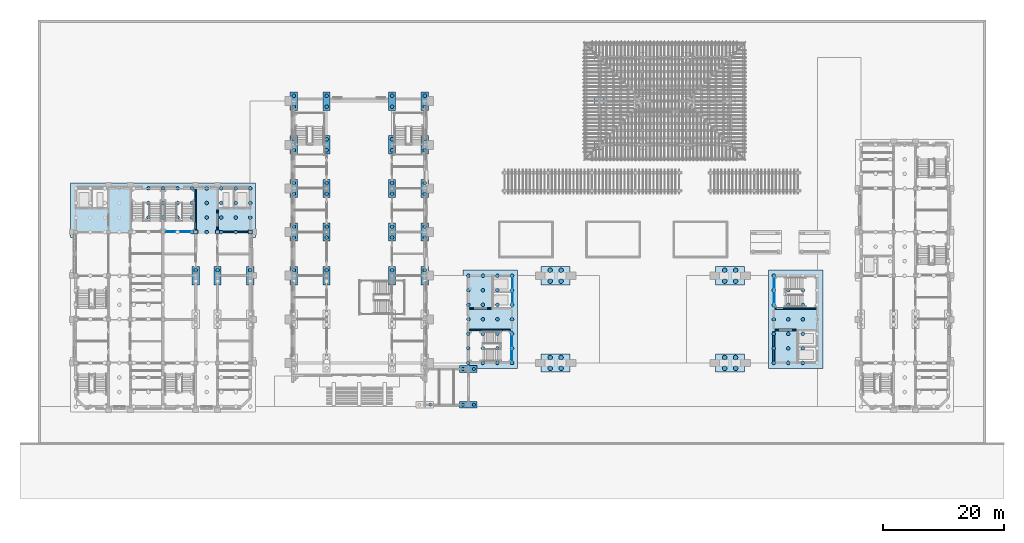
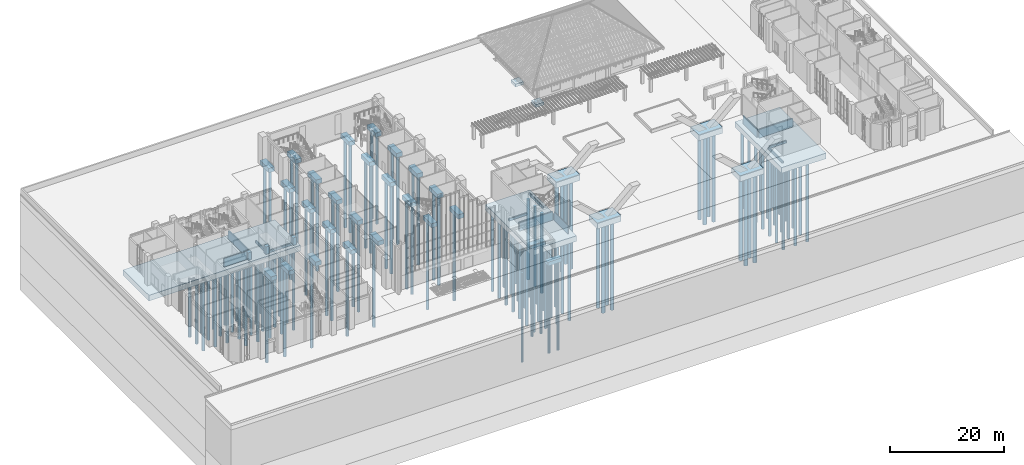
# One storey, part 2 of 84: 136 piles, 49 footings.
"""IFC4 building model written with IfcOpenShell, lengths in metres."""

import ifcopenshell
import ifcopenshell.guid

model = None  # the IFC model being written
_history = None  # IfcOwnerHistory: only IFC2X3 demands one
_inside = {}  # id of a spatial element -> (the spatial element, [elements in it])
_under = {}  # id of a project, library or spatial element -> (it, [spatial elements below it])
_declared = {}  # id of a project -> (the project, [libraries it declares])
_typed = {}  # id of a type object -> (the type object, [elements of that type])
_made_of = {}  # id of a material, layer set ... -> (it, [elements and type objects made of it])


def new_model(schema):
    """Start an empty IFC model of exactly this schema.

    Asked for "IFC4X3", IfcOpenShell would pick the latest addendum, in which some entities
    have other attributes; the version numbers below select the first issue.
    IFC2X3 requires an IfcOwnerHistory on every rooted entity: one is made here for all.
    """
    global model, _history
    if schema == "IFC4X3":
        model = ifcopenshell.file(schema_version=(4, 3, 0, 0))
    else:
        model = ifcopenshell.file(schema=schema)
    _inside.clear()
    _under.clear()
    _declared.clear()
    _typed.clear()
    _made_of.clear()
    _history = None
    if model.schema == "IFC2X3":
        org = make("IfcOrganization", Name="unknown")
        user = make(
            "IfcPersonAndOrganization",
            ThePerson=make("IfcPerson", FamilyName="unknown"),
            TheOrganization=org,
        )
        app = make(
            "IfcApplication",
            ApplicationDeveloper=org,
            Version="unknown",
            ApplicationFullName="unknown",
            ApplicationIdentifier="unknown",
        )
        _history = make(
            "IfcOwnerHistory",
            OwningUser=user,
            OwningApplication=app,
            ChangeAction="ADDED",
            CreationDate=0,
        )
    return model


def make(cls, **values):
    """One entity of the class cls with the attributes given. An attribute that is None is left unset."""
    return model.create_entity(
        cls, **{name: value for name, value in values.items() if value is not None}
    )


def rooted(cls, **values):
    """An entity with a GlobalId (a new one), such as an element, a storey or a relation."""
    return make(cls, GlobalId=ifcopenshell.guid.new(), OwnerHistory=_history, **values)


def si_unit(unit_type, name, prefix=None):
    """IfcSIUnit, for example si_unit("LENGTHUNIT", "METRE", prefix="MILLI")."""
    return make("IfcSIUnit", UnitType=unit_type, Prefix=prefix, Name=name)


def assignment(units):
    """IfcUnitAssignment: the units of a project."""
    return None if units is None else make("IfcUnitAssignment", Units=units)


def point(xyz):
    """IfcCartesianPoint."""
    return None if xyz is None else make("IfcCartesianPoint", Coordinates=xyz)


def direction(xyz):
    """IfcDirection."""
    return None if xyz is None else make("IfcDirection", DirectionRatios=xyz)


def frame(location, z_axis=None, x_axis=None):
    """IfcAxis2Placement3D, a coordinate frame: its origin and axes. An axis left out is left unset."""
    return make(
        "IfcAxis2Placement3D",
        Location=point(location),
        Axis=direction(z_axis),
        RefDirection=direction(x_axis),
    )


def frame_2d(location, x_axis=None):
    """IfcAxis2Placement2D, a coordinate frame in the plane: its origin and x axis."""
    return make(
        "IfcAxis2Placement2D", Location=point(location), RefDirection=direction(x_axis)
    )


def origin():
    """The frame at (0, 0, 0) with its axes left unset."""
    return frame((0.0, 0.0, 0.0))


def origin_2d():
    """The frame at (0, 0) in the plane with its x axis left unset."""
    return frame_2d((0.0, 0.0))


def place(relative_to, where):
    """IfcLocalPlacement: puts the frame where relative to a parent placement (None: the world)."""
    return make(
        "IfcLocalPlacement", PlacementRelTo=relative_to, RelativePlacement=where
    )


def context(
    kind, dimensions, precision=None, world=None, true_north=None, identifier=None
):
    """IfcGeometricRepresentationContext, for example the 3D "Model" context."""
    return make(
        "IfcGeometricRepresentationContext",
        ContextIdentifier=identifier,
        ContextType=kind,
        CoordinateSpaceDimension=dimensions,
        Precision=precision,
        WorldCoordinateSystem=world,
        TrueNorth=true_north,
    )


def subcontext(parent, identifier, kind, view, scale=None):
    """IfcGeometricRepresentationSubContext, for example "Body" below "Model"."""
    return make(
        "IfcGeometricRepresentationSubContext",
        ContextIdentifier=identifier,
        ContextType=kind,
        ParentContext=parent,
        TargetScale=scale,
        TargetView=view,
    )


def project(units=None, contexts=None):
    """IfcProject with its units and contexts."""
    return rooted(
        "IfcProject",
        Name="project",
        RepresentationContexts=contexts,
        UnitsInContext=assignment(units),
    )


def spatial(cls, under=None, at=None, **own):
    """A site, building, storey or space (cls), placed at a placement, below another one or the project."""
    s = rooted(cls, ObjectPlacement=at, **own)
    if under is not None:
        _under.setdefault(under.id(), (under, []))[1].append(s)
    return s


def polyline(points):
    """IfcPolyline through the points."""
    return make("IfcPolyline", Points=[point(p) for p in points])


def profile(cls, at=None, kind="AREA", **sizes):
    """A parametric profile (cls). Its sizes go by their IFC names, for example OverallWidth=200.0."""
    return make(cls, ProfileType=kind, Position=at, **sizes)


def rectangle(**sizes):
    """IfcRectangleProfileDef."""
    return profile("IfcRectangleProfileDef", **sizes)


def circle(**sizes):
    """IfcCircleProfileDef."""
    return profile("IfcCircleProfileDef", **sizes)


def outline(outer, holes=None, kind="AREA"):
    """IfcArbitraryClosedProfileDef: a profile drawn as a closed curve; with holes, ...WithVoids."""
    if holes is None:
        return make("IfcArbitraryClosedProfileDef", ProfileType=kind, OuterCurve=outer)
    return make(
        "IfcArbitraryProfileDefWithVoids",
        ProfileType=kind,
        OuterCurve=outer,
        InnerCurves=holes,
    )


def extrude(swept, where, along, depth):
    """IfcExtrudedAreaSolid: the profile swept, set in the frame where, extruded along a direction by depth."""
    return make(
        "IfcExtrudedAreaSolid",
        SweptArea=swept,
        Position=where,
        ExtrudedDirection=direction(along),
        Depth=depth,
    )


def shape(context_of_items, identifier, shape_type, items):
    """IfcShapeRepresentation: the items that make up one representation, for example the "Body"."""
    return make(
        "IfcShapeRepresentation",
        ContextOfItems=context_of_items,
        RepresentationIdentifier=identifier,
        RepresentationType=shape_type,
        Items=items,
    )


def material(Name=None, Category=None):
    """IfcMaterial."""
    return make("IfcMaterial", Name=Name, Category=Category)


def material_profile(
    of_material, cross_section, Name=None, Category=None, Priority=None
):
    """IfcMaterialProfile: a cross section and its material."""
    return make(
        "IfcMaterialProfile",
        Name=Name,
        Material=of_material,
        Profile=cross_section,
        Priority=Priority,
        Category=Category,
    )


def profile_set(profiles, Name=None, composite=None):
    """IfcMaterialProfileSet."""
    return make(
        "IfcMaterialProfileSet",
        Name=Name,
        MaterialProfiles=profiles,
        CompositeProfile=composite,
    )


def made_of(thing, what):
    """Note that an element or type object is made of a material, layer set ...; save() writes the relation."""
    if what is not None:
        _made_of.setdefault(what.id(), (what, []))[1].append(thing)
    return thing


def type_object(cls, material=None, **own):
    """A type object (cls), such as IfcWallType, which elements share."""
    return made_of(rooted(cls, **own), material)


def element(
    cls,
    number,
    at=None,
    inside=None,
    cuts=None,
    type_object=None,
    material=None,
    context=None,
    identifier="Body",
    shape_type=None,
    held_by="IfcProductDefinitionShape",
    body=None,
    shapes=None,
    **own,
):
    """One element of the class cls, such as IfcWall. Its Tag is "e" and its number.

    at: its placement. inside: the storey or other place that contains it. cuts: it is an
    opening in that element (IfcRelVoidsElement). A single representation is given by context,
    identifier, shape_type and body (its items); several are given by shapes. held_by: the class
    of the entity that holds the representations. save() writes the other relations.
    """
    e = rooted(cls, Tag="e%d" % number, ObjectPlacement=at, **own)
    if body is not None:
        shapes = [shape(context, identifier, shape_type, body)]
    if shapes is not None:
        e.Representation = make(held_by, Representations=shapes)
    if inside is not None:
        _inside.setdefault(inside.id(), (inside, []))[1].append(e)
    if cuts is not None:
        rooted(
            "IfcRelVoidsElement", RelatingBuildingElement=cuts, RelatedOpeningElement=e
        )
    if type_object is not None:
        _typed.setdefault(type_object.id(), (type_object, []))[1].append(e)
    return made_of(e, material)


def aggregate(whole, parts):
    """IfcRelAggregates: a whole, such as a stair, and the parts it consists of."""
    return rooted("IfcRelAggregates", RelatingObject=whole, RelatedObjects=parts)


def save(model, path):
    """Write the relations noted so far, then the file.

    IfcRelAggregates (storeys below a building ...), IfcRelContainedInSpatialStructure (elements
    in a storey), IfcRelDefinesByType, IfcRelAssociatesMaterial and IfcRelDeclares: one each for
    every whole, place, type object, material and project.
    """
    for whole, parts in _under.values():
        aggregate(whole, parts)
    for where, things in _inside.values():
        rooted(
            "IfcRelContainedInSpatialStructure",
            RelatedElements=things,
            RelatingStructure=where,
        )
    for kind, things in _typed.values():
        rooted("IfcRelDefinesByType", RelatedObjects=things, RelatingType=kind)
    for what, things in _made_of.values():
        rooted("IfcRelAssociatesMaterial", RelatedObjects=things, RelatingMaterial=what)
    for by, libraries in _declared.values():
        rooted("IfcRelDeclares", RelatingContext=by, RelatedDefinitions=libraries)
    model.write(path)


model = new_model("IFC4")

# Units and contexts
model_context = context("Model", 3, precision=1e-05, world=origin(), true_north=direction((0.0, 1.0)))
body_context = subcontext(model_context, "Body", "Model", "MODEL_VIEW")
ifc_project = project(units=[si_unit("LENGTHUNIT", "METRE"), si_unit("AREAUNIT", "SQUARE_METRE"), si_unit("VOLUMEUNIT", "CUBIC_METRE"), si_unit("PLANEANGLEUNIT", "RADIAN"), si_unit("MASSUNIT", "GRAM", prefix="KILO")], contexts=[model_context])

# Site, building, storey
site_placement = place(None, origin())
site = spatial("IfcSite", under=ifc_project, at=site_placement, CompositionType="ELEMENT")
building_placement = place(site_placement, origin())
building = spatial("IfcBuilding", under=site, at=building_placement, Name="Mazhai Court Health Centre", CompositionType="ELEMENT")
storey_placement = place(building_placement, origin())
storey = spatial("IfcBuildingStorey", under=building, at=storey_placement, Name="L00", CompositionType="ELEMENT", Elevation=0.0)

# Piles
ifc_material_1 = material(Name="Concrete M35", Category="concrete")
ifc_material_profile_1 = material_profile(ifc_material_1, circle(Radius=0.25, at=origin_2d()), Name="RC PILE D500")
ifc_profile_set_1 = profile_set([ifc_material_profile_1], Name="Concrete M35")
pile_type_1 = type_object("IfcPileType", Name="BORED PILE D500 M35", PredefinedType="BORED", material=ifc_profile_set_1)
for number, where, z_axis, x_axis, name in (
    (1, (64.699951171875, 6.5, -0.89990234375), (0.0, 0.0, -1.0), (1.0, 0.0, 0.0), "pile-cap-AR-01-02"),
    (2, (70.10009765625, 6.5, -0.89990234375), (0.0, 0.0, -1.0), (1.0, 0.0, 0.0), "pile-cap-AR-02-01"),
    (3, (71.89990234375, 6.5, -0.89990234375), (0.0, 0.0, -1.0), (1.0, 0.0, 0.0), "pile-cap-AR-02-02"),
    (4, (70.10009765625, 12.39990234375, -0.89990234375), (0.0, 0.0, -1.0), (1.0, 0.0, 0.0), "pile-cap-AR-R02-01"),
    (5, (71.89990234375, 12.39990234375, -0.89990234375), (0.0, 0.0, -1.0), (1.0, 0.0, 0.0), "pile-cap-AR-R02-02"),
):
    element("IfcPile", number, at=place(storey_placement, frame(where, z_axis=z_axis, x_axis=x_axis)), inside=storey, type_object=pile_type_1, Name=name, PredefinedType="BORED", context=body_context, shape_type="SweptSolid", body=[
        extrude(circle(Radius=0.25, at=origin_2d()), origin(), (0.0, 0.0, 1.0), 19.10009765625),
    ])
ifc_material_2 = material(Name="Concrete M35", Category="concrete")
ifc_material_profile_2 = material_profile(ifc_material_2, circle(Radius=0.300048828125, at=origin_2d()), Name="RC PILE D600")
ifc_profile_set_2 = profile_set([ifc_material_profile_2], Name="Concrete M35")
pile_type_2 = type_object("IfcPileType", Name="BORED PILE D600 M35", PredefinedType="BORED", material=ifc_profile_set_2)
for number, where, z_axis, x_axis, name in (
    (6, (18.199951171875, 37.39990234375, -2.89990234375), (0.0, 0.0, -1.0), (1.0, 0.0, 0.0), "pile-RAFT-3-22"),
    (7, (18.199951171875, 39.800048828125, -2.89990234375), (0.0, 0.0, -1.0), (1.0, 0.0, 0.0), "pile-RAFT-3-23"),
    (8, (18.199951171875, 42.199951171875, -2.89990234375), (0.0, 0.0, -1.0), (1.0, 0.0, 0.0), "pile-RAFT-3-24"),
    (9, (20.60009765625, 37.39990234375, -2.89990234375), (0.0, 0.0, -1.0), (1.0, 0.0, 0.0), "pile-RAFT-3-26"),
    (10, (20.60009765625, 39.800048828125, -2.89990234375), (0.0, 0.0, -1.0), (1.0, 0.0, 0.0), "pile-RAFT-3-27"),
    (11, (20.60009765625, 42.199951171875, -2.89990234375), (0.0, 0.0, -1.0), (1.0, 0.0, 0.0), "pile-RAFT-3-28"),
    (12, (23.0, 37.39990234375, -2.89990234375), (0.0, 0.0, -1.0), (1.0, 0.0, 0.0), "pile-RAFT-3-30"),
    (13, (23.0, 39.800048828125, -2.89990234375), (0.0, 0.0, -1.0), (1.0, 0.0, 0.0), "pile-RAFT-3-31"),
    (14, (23.0, 42.199951171875, -2.89990234375), (0.0, 0.0, -1.0), (1.0, 0.0, 0.0), "pile-RAFT-3-32"),
    (15, (25.39990234375, 35.0, -2.89990234375), (0.0, 0.0, -1.0), (1.0, 0.0, 0.0), "pile-RAFT-3-33"),
    (16, (25.39990234375, 37.39990234375, -2.89990234375), (0.0, 0.0, -1.0), (1.0, 0.0, 0.0), "pile-RAFT-3-34"),
    (17, (25.39990234375, 39.800048828125, -2.89990234375), (0.0, 0.0, -1.0), (1.0, 0.0, 0.0), "pile-RAFT-3-35"),
    (18, (25.39990234375, 42.199951171875, -2.89990234375), (0.0, 0.0, -1.0), (1.0, 0.0, 0.0), "pile-RAFT-3-36"),
    (19, (27.800048828125, 35.0, -2.89990234375), (0.0, 0.0, -1.0), (1.0, 0.0, 0.0), "pile-RAFT-3-37"),
    (20, (27.800048828125, 37.39990234375, -2.89990234375), (0.0, 0.0, -1.0), (1.0, 0.0, 0.0), "pile-RAFT-3-38"),
    (21, (27.800048828125, 39.800048828125, -2.89990234375), (0.0, 0.0, -1.0), (1.0, 0.0, 0.0), "pile-RAFT-3-39"),
    (22, (27.800048828125, 42.199951171875, -2.89990234375), (0.0, 0.0, -1.0), (1.0, 0.0, 0.0), "pile-RAFT-3-40"),
    (23, (30.199951171875, 35.0, -2.89990234375), (0.0, 0.0, -1.0), (1.0, 0.0, 0.0), "pile-RAFT-3-41"),
    (24, (30.199951171875, 37.39990234375, -2.89990234375), (0.0, 0.0, -1.0), (1.0, 0.0, 0.0), "pile-RAFT-3-42"),
    (25, (30.199951171875, 39.800048828125, -2.89990234375), (0.0, 0.0, -1.0), (1.0, 0.0, 0.0), "pile-RAFT-3-43"),
    (26, (30.199951171875, 42.199951171875, -2.89990234375), (0.0, 0.0, -1.0), (1.0, 0.0, 0.0), "pile-RAFT-3-44"),
    (27, (32.60009765625, 35.0, -2.89990234375), (0.0, 0.0, -1.0), (1.0, 0.0, 0.0), "pile-RAFT-3-45"),
    (28, (32.60009765625, 37.39990234375, -2.89990234375), (0.0, 0.0, -1.0), (1.0, 0.0, 0.0), "pile-RAFT-3-46"),
    (29, (32.60009765625, 39.800048828125, -2.89990234375), (0.0, 0.0, -1.0), (1.0, 0.0, 0.0), "pile-RAFT-3-47"),
    (30, (32.60009765625, 42.199951171875, -2.89990234375), (0.0, 0.0, -1.0), (1.0, 0.0, 0.0), "pile-RAFT-3-48"),
    (31, (35.0, 35.0, -2.89990234375), (0.0, 0.0, -1.0), (1.0, 0.0, 0.0), "pile-RAFT-3-49"),
    (32, (35.0, 37.39990234375, -2.89990234375), (0.0, 0.0, -1.0), (1.0, 0.0, 0.0), "pile-RAFT-3-50"),
    (33, (35.0, 39.800048828125, -2.89990234375), (0.0, 0.0, -1.0), (1.0, 0.0, 0.0), "pile-RAFT-3-51"),
    (34, (35.0, 42.199951171875, -2.89990234375), (0.0, 0.0, -1.0), (1.0, 0.0, 0.0), "pile-RAFT-3-52"),
    (35, (71.0, 13.39990234375, -2.89990234375), (0.0, 0.0, -1.0), (1.0, 0.0, 0.0), "pile-RAFT-4-01"),
    (36, (71.0, 15.800048828125, -2.89990234375), (0.0, 0.0, -1.0), (1.0, 0.0, 0.0), "pile-RAFT-4-02"),
    (37, (71.0, 18.199951171875, -2.89990234375), (0.0, 0.0, -1.0), (1.0, 0.0, 0.0), "pile-RAFT-4-03"),
    (38, (71.0, 20.60009765625, -2.89990234375), (0.0, 0.0, -1.0), (1.0, 0.0, 0.0), "pile-RAFT-4-04"),
    (39, (71.0, 23.0, -2.89990234375), (0.0, 0.0, -1.0), (1.0, 0.0, 0.0), "pile-RAFT-4-05"),
    (40, (71.0, 25.39990234375, -2.89990234375), (0.0, 0.0, -1.0), (1.0, 0.0, 0.0), "pile-RAFT-4-06"),
    (41, (71.0, 27.800048828125, -2.89990234375), (0.0, 0.0, -1.0), (1.0, 0.0, 0.0), "pile-RAFT-4-07"),
    (42, (73.39990234375, 13.39990234375, -2.89990234375), (0.0, 0.0, -1.0), (1.0, 0.0, 0.0), "pile-RAFT-4-08"),
    (43, (73.39990234375, 15.800048828125, -2.89990234375), (0.0, 0.0, -1.0), (1.0, 0.0, 0.0), "pile-RAFT-4-09"),
    (44, (73.39990234375, 18.199951171875, -2.89990234375), (0.0, 0.0, -1.0), (1.0, 0.0, 0.0), "pile-RAFT-4-10"),
    (45, (73.39990234375, 20.60009765625, -2.89990234375), (0.0, 0.0, -1.0), (1.0, 0.0, 0.0), "pile-RAFT-4-11"),
    (46, (73.39990234375, 23.0, -2.89990234375), (0.0, 0.0, -1.0), (1.0, 0.0, 0.0), "pile-RAFT-4-12"),
    (47, (73.39990234375, 25.39990234375, -2.89990234375), (0.0, 0.0, -1.0), (1.0, 0.0, 0.0), "pile-RAFT-4-13"),
    (48, (73.39990234375, 27.800048828125, -2.89990234375), (0.0, 0.0, -1.0), (1.0, 0.0, 0.0), "pile-RAFT-4-14"),
    (49, (75.800048828125, 13.39990234375, -2.89990234375), (0.0, 0.0, -1.0), (1.0, 0.0, 0.0), "pile-RAFT-4-15"),
    (50, (75.800048828125, 15.800048828125, -2.89990234375), (0.0, 0.0, -1.0), (1.0, 0.0, 0.0), "pile-RAFT-4-16"),
    (51, (75.800048828125, 18.199951171875, -2.89990234375), (0.0, 0.0, -1.0), (1.0, 0.0, 0.0), "pile-RAFT-4-17"),
    (52, (75.800048828125, 20.60009765625, -2.89990234375), (0.0, 0.0, -1.0), (1.0, 0.0, 0.0), "pile-RAFT-4-18"),
    (53, (75.800048828125, 23.0, -2.89990234375), (0.0, 0.0, -1.0), (1.0, 0.0, 0.0), "pile-RAFT-4-19"),
    (54, (75.800048828125, 25.39990234375, -2.89990234375), (0.0, 0.0, -1.0), (1.0, 0.0, 0.0), "pile-RAFT-4-20"),
    (55, (75.800048828125, 27.800048828125, -2.89990234375), (0.0, 0.0, -1.0), (1.0, 0.0, 0.0), "pile-RAFT-4-21"),
    (56, (78.199951171875, 13.39990234375, -2.89990234375), (0.0, 0.0, -1.0), (1.0, 0.0, 0.0), "pile-RAFT-4-22"),
    (57, (78.199951171875, 15.800048828125, -2.89990234375), (0.0, 0.0, -1.0), (1.0, 0.0, 0.0), "pile-RAFT-4-23"),
    (58, (78.199951171875, 18.199951171875, -2.89990234375), (0.0, 0.0, -1.0), (1.0, 0.0, 0.0), "pile-RAFT-4-24"),
    (59, (78.199951171875, 20.60009765625, -2.89990234375), (0.0, 0.0, -1.0), (1.0, 0.0, 0.0), "pile-RAFT-4-25"),
    (60, (78.199951171875, 23.0, -2.89990234375), (0.0, 0.0, -1.0), (1.0, 0.0, 0.0), "pile-RAFT-4-26"),
    (61, (78.199951171875, 25.39990234375, -2.89990234375), (0.0, 0.0, -1.0), (1.0, 0.0, 0.0), "pile-RAFT-4-27"),
    (62, (78.199951171875, 27.800048828125, -2.89990234375), (0.0, 0.0, -1.0), (1.0, 0.0, 0.0), "pile-RAFT-4-28"),
    (63, (121.39990234375, 13.39990234375, -2.89990234375), (0.0, 0.0, -1.0), (1.0, 0.0, 0.0), "pile-RAFT-5-01"),
    (64, (121.39990234375, 15.800048828125, -2.89990234375), (0.0, 0.0, -1.0), (1.0, 0.0, 0.0), "pile-RAFT-5-02"),
    (65, (121.39990234375, 18.199951171875, -2.89990234375), (0.0, 0.0, -1.0), (1.0, 0.0, 0.0), "pile-RAFT-5-03"),
    (66, (121.39990234375, 20.60009765625, -2.89990234375), (0.0, 0.0, -1.0), (1.0, 0.0, 0.0), "pile-RAFT-5-04"),
    (67, (121.39990234375, 23.0, -2.89990234375), (0.0, 0.0, -1.0), (1.0, 0.0, 0.0), "pile-RAFT-5-05"),
    (68, (121.39990234375, 25.39990234375, -2.89990234375), (0.0, 0.0, -1.0), (1.0, 0.0, 0.0), "pile-RAFT-5-06"),
    (69, (121.39990234375, 27.800048828125, -2.89990234375), (0.0, 0.0, -1.0), (1.0, 0.0, 0.0), "pile-RAFT-5-07"),
    (70, (123.800048828125, 13.39990234375, -2.89990234375), (0.0, 0.0, -1.0), (1.0, 0.0, 0.0), "pile-RAFT-5-08"),
    (71, (123.800048828125, 15.800048828125, -2.89990234375), (0.0, 0.0, -1.0), (1.0, 0.0, 0.0), "pile-RAFT-5-09"),
    (72, (123.800048828125, 18.199951171875, -2.89990234375), (0.0, 0.0, -1.0), (1.0, 0.0, 0.0), "pile-RAFT-5-10"),
    (73, (123.800048828125, 20.60009765625, -2.89990234375), (0.0, 0.0, -1.0), (1.0, 0.0, 0.0), "pile-RAFT-5-11"),
    (74, (123.800048828125, 23.0, -2.89990234375), (0.0, 0.0, -1.0), (1.0, 0.0, 0.0), "pile-RAFT-5-12"),
    (75, (123.800048828125, 25.39990234375, -2.89990234375), (0.0, 0.0, -1.0), (1.0, 0.0, 0.0), "pile-RAFT-5-13"),
    (76, (126.199951171875, 13.39990234375, -2.89990234375), (0.0, 0.0, -1.0), (1.0, 0.0, 0.0), "pile-RAFT-5-15"),
    (77, (126.199951171875, 15.800048828125, -2.89990234375), (0.0, 0.0, -1.0), (1.0, 0.0, 0.0), "pile-RAFT-5-16"),
    (78, (126.199951171875, 18.199951171875, -2.89990234375), (0.0, 0.0, -1.0), (1.0, 0.0, 0.0), "pile-RAFT-5-17"),
    (79, (126.199951171875, 20.60009765625, -2.89990234375), (0.0, 0.0, -1.0), (1.0, 0.0, 0.0), "pile-RAFT-5-18"),
    (80, (126.199951171875, 23.0, -2.89990234375), (0.0, 0.0, -1.0), (1.0, 0.0, 0.0), "pile-RAFT-5-19"),
    (81, (126.199951171875, 25.39990234375, -2.89990234375), (0.0, 0.0, -1.0), (1.0, 0.0, 0.0), "pile-RAFT-5-20"),
):
    element("IfcPile", number, at=place(storey_placement, frame(where, z_axis=z_axis, x_axis=x_axis)), inside=storey, type_object=pile_type_2, Name=name, PredefinedType="BORED", context=body_context, shape_type="SweptSolid", body=[
        extrude(circle(Radius=0.300048828125, at=origin_2d()), origin(), (0.0, 0.0, 1.0), 17.10009765625),
    ])
for number, where, z_axis, x_axis, name in (
    (82, (26.0, 28.699951171875, -1.0), (0.0, 0.0, -1.0), (1.0, 0.0, 0.0), "pile-cap-V5-L3-1-02"),
    (83, (29.60009765625, 28.699951171875, -1.0), (0.0, 0.0, -1.0), (1.0, 0.0, 0.0), "pile-cap-V5-L3-2-02"),
    (84, (35.0, 28.699951171875, -1.0), (0.0, 0.0, -1.0), (1.0, 0.0, 0.0), "pile-cap-V5-L3-3-02"),
    (85, (42.199951171875, 28.699951171875, -1.0), (0.0, 0.0, -1.0), (1.0, 0.0, 0.0), "pile-cap-V1-1-03-02"),
    (86, (42.199951171875, 34.10009765625, -1.0), (0.0, 0.0, -1.0), (1.0, 0.0, 0.0), "pile-cap-V1-1-04-01"),
    (87, (42.199951171875, 35.89990234375, -1.0), (0.0, 0.0, -1.0), (1.0, 0.0, 0.0), "pile-cap-V1-1-04-02"),
    (88, (42.199951171875, 41.300048828125, -1.0), (0.0, 0.0, -1.0), (1.0, 0.0, 0.0), "pile-cap-V1-1-05-01"),
    (89, (42.199951171875, 43.10009765625, -1.0), (0.0, 0.0, -1.0), (1.0, 0.0, 0.0), "pile-cap-V1-1-05-02"),
    (90, (42.199951171875, 48.5, -1.0), (0.0, 0.0, -1.0), (1.0, 0.0, 0.0), "pile-cap-V1-1-06-01"),
    (91, (42.199951171875, 50.300048828125, -1.0), (0.0, 0.0, -1.0), (1.0, 0.0, 0.0), "pile-cap-V1-1-06-02"),
    (92, (42.199951171875, 55.699951171875, -1.0), (0.0, 0.0, -1.0), (1.0, 0.0, 0.0), "pile-cap-V1-1-07-01"),
    (93, (42.199951171875, 57.5, -1.0), (0.0, 0.0, -1.0), (1.0, 0.0, 0.0), "pile-cap-V1-1-07-02"),
    (94, (47.60009765625, 28.699951171875, -1.0), (0.0, 0.0, -1.0), (1.0, 0.0, 0.0), "pile-cap-V1-2-03-02"),
    (95, (47.60009765625, 34.10009765625, -1.0), (0.0, 0.0, -1.0), (1.0, 0.0, 0.0), "pile-cap-V1-2-04-01"),
    (96, (47.60009765625, 35.89990234375, -1.0), (0.0, 0.0, -1.0), (1.0, 0.0, 0.0), "pile-cap-V1-2-04-02"),
    (97, (47.60009765625, 41.300048828125, -1.0), (0.0, 0.0, -1.0), (1.0, 0.0, 0.0), "pile-cap-V1-2-05-01"),
    (98, (47.60009765625, 43.10009765625, -1.0), (0.0, 0.0, -1.0), (1.0, 0.0, 0.0), "pile-cap-V1-2-05-02"),
    (99, (47.60009765625, 48.5, -1.0), (0.0, 0.0, -1.0), (1.0, 0.0, 0.0), "pile-cap-V1-2-06-01"),
    (100, (47.60009765625, 50.300048828125, -1.0), (0.0, 0.0, -1.0), (1.0, 0.0, 0.0), "pile-cap-V1-2-06-02"),
    (101, (47.60009765625, 55.699951171875, -1.0), (0.0, 0.0, -1.0), (1.0, 0.0, 0.0), "pile-cap-V1-2-07-01"),
    (102, (47.60009765625, 57.5, -1.0), (0.0, 0.0, -1.0), (1.0, 0.0, 0.0), "pile-cap-V1-2-07-02"),
    (103, (58.39990234375, 28.699951171875, -1.0), (0.0, 0.0, -1.0), (1.0, 0.0, 0.0), "pile-cap-V1-3-03-02"),
    (104, (58.39990234375, 34.10009765625, -1.0), (0.0, 0.0, -1.0), (1.0, 0.0, 0.0), "pile-cap-V1-3-04-01"),
    (105, (58.39990234375, 35.89990234375, -1.0), (0.0, 0.0, -1.0), (1.0, 0.0, 0.0), "pile-cap-V1-3-04-02"),
    (106, (58.39990234375, 41.300048828125, -1.0), (0.0, 0.0, -1.0), (1.0, 0.0, 0.0), "pile-cap-V1-3-05-01"),
    (107, (58.39990234375, 43.10009765625, -1.0), (0.0, 0.0, -1.0), (1.0, 0.0, 0.0), "pile-cap-V1-3-05-02"),
    (108, (58.39990234375, 48.5, -1.0), (0.0, 0.0, -1.0), (1.0, 0.0, 0.0), "pile-cap-V1-3-06-01"),
    (109, (58.39990234375, 50.300048828125, -1.0), (0.0, 0.0, -1.0), (1.0, 0.0, 0.0), "pile-cap-V1-3-06-02"),
    (110, (58.39990234375, 55.699951171875, -1.0), (0.0, 0.0, -1.0), (1.0, 0.0, 0.0), "pile-cap-V1-3-07-01"),
    (111, (58.39990234375, 57.5, -1.0), (0.0, 0.0, -1.0), (1.0, 0.0, 0.0), "pile-cap-V1-3-07-02"),
    (112, (63.800048828125, 28.699951171875, -1.0), (0.0, 0.0, -1.0), (1.0, 0.0, 0.0), "pile-cap-V1-4-03-02"),
    (113, (63.800048828125, 34.10009765625, -1.0), (0.0, 0.0, -1.0), (1.0, 0.0, 0.0), "pile-cap-V1-4-04-01"),
    (114, (63.800048828125, 35.89990234375, -1.0), (0.0, 0.0, -1.0), (1.0, 0.0, 0.0), "pile-cap-V1-4-04-02"),
    (115, (63.800048828125, 41.300048828125, -1.0), (0.0, 0.0, -1.0), (1.0, 0.0, 0.0), "pile-cap-V1-4-05-01"),
    (116, (63.800048828125, 43.10009765625, -1.0), (0.0, 0.0, -1.0), (1.0, 0.0, 0.0), "pile-cap-V1-4-05-02"),
    (117, (63.800048828125, 48.5, -1.0), (0.0, 0.0, -1.0), (1.0, 0.0, 0.0), "pile-cap-V1-4-06-01"),
    (118, (63.800048828125, 50.300048828125, -1.0), (0.0, 0.0, -1.0), (1.0, 0.0, 0.0), "pile-cap-V1-4-06-02"),
    (119, (63.800048828125, 55.699951171875, -1.0), (0.0, 0.0, -1.0), (1.0, 0.0, 0.0), "pile-cap-V1-4-07-01"),
    (120, (63.800048828125, 57.5, -1.0), (0.0, 0.0, -1.0), (1.0, 0.0, 0.0), "pile-cap-V1-4-07-02"),
):
    element("IfcPile", number, at=place(storey_placement, frame(where, z_axis=z_axis, x_axis=x_axis)), inside=storey, type_object=pile_type_2, Name=name, PredefinedType="BORED", context=body_context, shape_type="SweptSolid", body=[
        extrude(circle(Radius=0.300048828125, at=origin_2d()), origin(), (0.0, 0.0, 1.0), 19.0),
    ])
ifc_material_3 = material(Name="Concrete M35", Category="concrete")
ifc_material_profile_3 = material_profile(ifc_material_3, circle(Radius=0.375, at=origin_2d()), Name="RC PILE D750")
ifc_profile_set_3 = profile_set([ifc_material_profile_3], Name="Concrete M35")
pile_type_3 = type_object("IfcPileType", Name="BORED PILE D750 M35", PredefinedType="BORED", material=ifc_profile_set_3)
for number, where, z_axis, x_axis, name in (
    (121, (84.5, 12.5, -1.300048828125), (0.0, 0.0, -1.0), (1.0, 0.0, 0.0), "pile-cap-LEG-WS-01"),
    (122, (84.5, 14.300048828125, -1.300048828125), (0.0, 0.0, -1.0), (1.0, 0.0, 0.0), "pile-cap-LEG-WS-02"),
    (123, (86.300048828125, 12.5, -1.300048828125), (0.0, 0.0, -1.0), (1.0, 0.0, 0.0), "pile-cap-LEG-WS-03"),
    (124, (86.300048828125, 14.300048828125, -1.300048828125), (0.0, 0.0, -1.0), (1.0, 0.0, 0.0), "pile-cap-LEG-WS-04"),
    (125, (84.5, 26.89990234375, -1.300048828125), (0.0, 0.0, -1.0), (1.0, 0.0, 0.0), "pile-cap-LEG-WN-01"),
    (126, (84.5, 28.699951171875, -1.300048828125), (0.0, 0.0, -1.0), (1.0, 0.0, 0.0), "pile-cap-LEG-WN-02"),
    (127, (86.300048828125, 26.89990234375, -1.300048828125), (0.0, 0.0, -1.0), (1.0, 0.0, 0.0), "pile-cap-LEG-WN-03"),
    (128, (86.300048828125, 28.699951171875, -1.300048828125), (0.0, 0.0, -1.0), (1.0, 0.0, 0.0), "pile-cap-LEG-WN-04"),
    (129, (113.300048828125, 12.5, -1.300048828125), (0.0, 0.0, -1.0), (1.0, 0.0, 0.0), "pile-cap-LEG-ES-01"),
    (130, (113.300048828125, 14.300048828125, -1.300048828125), (0.0, 0.0, -1.0), (1.0, 0.0, 0.0), "pile-cap-LEG-ES-02"),
    (131, (115.10009765625, 12.5, -1.300048828125), (0.0, 0.0, -1.0), (1.0, 0.0, 0.0), "pile-cap-LEG-ES-03"),
    (132, (115.10009765625, 14.300048828125, -1.300048828125), (0.0, 0.0, -1.0), (1.0, 0.0, 0.0), "pile-cap-LEG-ES-04"),
    (133, (113.300048828125, 26.89990234375, -1.300048828125), (0.0, 0.0, -1.0), (1.0, 0.0, 0.0), "pile-cap-LEG-EN-01"),
    (134, (113.300048828125, 28.699951171875, -1.300048828125), (0.0, 0.0, -1.0), (1.0, 0.0, 0.0), "pile-cap-LEG-EN-02"),
    (135, (115.10009765625, 26.89990234375, -1.300048828125), (0.0, 0.0, -1.0), (1.0, 0.0, 0.0), "pile-cap-LEG-EN-03"),
    (136, (115.10009765625, 28.699951171875, -1.300048828125), (0.0, 0.0, -1.0), (1.0, 0.0, 0.0), "pile-cap-LEG-EN-04"),
):
    element("IfcPile", number, at=place(storey_placement, frame(where, z_axis=z_axis, x_axis=x_axis)), inside=storey, type_object=pile_type_3, Name=name, PredefinedType="BORED", context=body_context, shape_type="SweptSolid", body=[
        extrude(circle(Radius=0.375, at=origin_2d()), origin(), (0.0, 0.0, 1.0), 18.699951171875),
    ])

# Footings
ifc_material_4 = material(Name="Concrete M35", Category="concrete")
footing_type_1 = type_object("IfcFootingType", Name="CORE RAFT 16200x9000x1200 M35", PredefinedType="PILE_CAP", material=ifc_material_4)
for number, where, z_axis, x_axis, name in (
    (137, (74.60009765625, 20.60009765625, -3.0), (0.0, 0.0, 1.0), (0.0, 1.0, 0.0), "RAFT-4"),
    (138, (125.0, 20.60009765625, -3.0), (0.0, 0.0, 1.0), (0.0, 1.0, 0.0), "RAFT-5"),
):
    element("IfcFooting", number, at=place(storey_placement, frame(where, z_axis=z_axis, x_axis=x_axis)), inside=storey, type_object=footing_type_1, Name=name, PredefinedType="PILE_CAP", context=body_context, shape_type="SweptSolid", body=[
        extrude(rectangle(XDim=16.199951171875, YDim=9.0, at=origin_2d()), origin(), (0.0, 0.0, 1.0), 1.199951171875),
    ])
ifc_material_5 = material(Name="Concrete M35", Category="concrete")
footing_type_2 = type_object("IfcFootingType", Name="CORE RAFT 30600x9000x1200 M35", PredefinedType="PILE_CAP", material=ifc_material_5)
footing_1_placement = place(storey_placement, frame((20.60009765625, 38.60009765625, -3.0), z_axis=(0.0, 0.0, 1.0), x_axis=(1.0, 0.0, 0.0)))
element("IfcFooting", 139, at=footing_1_placement, inside=storey, type_object=footing_type_2, Name="RAFT-3", PredefinedType="PILE_CAP", context=body_context, shape_type="SweptSolid", body=[
    extrude(rectangle(XDim=30.60009765625, YDim=9.0, at=origin_2d()), origin(), (0.0, 0.0, 1.0), 1.199951171875),
])
ifc_material_6 = material(Name="Concrete M35", Category="concrete")
footing_type_3 = type_object("IfcFootingType", Name="LEG PILE CAP 4P 4800x3000x1200 M35", PredefinedType="PILE_CAP", material=ifc_material_6)
for number, where, z_axis, x_axis, name in (
    (140, (85.39990234375, 13.39990234375, -1.39990234375), (0.0, 0.0, 1.0), (1.0, 0.0, 0.0), "cap-LEG-WS"),
    (141, (85.39990234375, 27.800048828125, -1.39990234375), (0.0, 0.0, 1.0), (1.0, 0.0, 0.0), "cap-LEG-WN"),
    (142, (114.199951171875, 13.39990234375, -1.39990234375), (0.0, 0.0, 1.0), (1.0, 0.0, 0.0), "cap-LEG-ES"),
    (143, (114.199951171875, 27.800048828125, -1.39990234375), (0.0, 0.0, 1.0), (1.0, 0.0, 0.0), "cap-LEG-EN"),
):
    element("IfcFooting", number, at=place(storey_placement, frame(where, z_axis=z_axis, x_axis=x_axis)), inside=storey, type_object=footing_type_3, Name=name, PredefinedType="PILE_CAP", context=body_context, shape_type="SweptSolid", body=[
        extrude(rectangle(XDim=4.800048828125, YDim=3.0, at=origin_2d()), origin(), (0.0, 0.0, 1.0), 1.199951171875),
    ])
ifc_material_7 = material(Name="Concrete M35", Category="concrete")
footing_type_4 = type_object("IfcFootingType", Name="PAD FOOTING 1600x1600x600 M35", PredefinedType="PAD_FOOTING", material=ifc_material_7)
for number, where, z_axis, x_axis, name in (
    (144, (92.60009765625, 49.39990234375, -0.800048828125), (0.0, 0.0, 1.0), (1.0, 0.0, 0.0), "pad-V3-01"),
    (145, (92.60009765625, 56.60009765625, -0.800048828125), (0.0, 0.0, 1.0), (1.0, 0.0, 0.0), "pad-V3-05"),
):
    element("IfcFooting", number, at=place(storey_placement, frame(where, z_axis=z_axis, x_axis=x_axis)), inside=storey, type_object=footing_type_4, Name=name, PredefinedType="PAD_FOOTING", context=body_context, shape_type="SweptSolid", body=[
        extrude(rectangle(XDim=1.60009765625, YDim=1.60009765625, at=origin_2d()), origin(), (0.0, 0.0, 1.0), 0.60009765625),
    ])
ifc_material_8 = material(Name="Concrete M35", Category="concrete")
footing_type_5 = type_object("IfcFootingType", Name="PILE CAP 2P 2900x1100x800 M35", PredefinedType="PILE_CAP", material=ifc_material_8)
for number, where, z_axis, x_axis, name in (
    (146, (71.0, 6.5, -1.0), (0.0, 0.0, 1.0), (1.0, 0.0, 0.0), "cap-AR-02"),
    (147, (71.0, 12.39990234375, -1.0), (0.0, 0.0, 1.0), (1.0, 0.0, 0.0), "cap-AR-R02"),
):
    element("IfcFooting", number, at=place(storey_placement, frame(where, z_axis=z_axis, x_axis=x_axis)), inside=storey, type_object=footing_type_5, Name=name, PredefinedType="PILE_CAP", context=body_context, shape_type="SweptSolid", body=[
        extrude(rectangle(XDim=2.89990234375, YDim=1.10009765625, at=origin_2d()), origin(), (0.0, 0.0, 1.0), 0.800048828125),
    ])
ifc_material_9 = material(Name="Concrete M35", Category="concrete")
footing_type_6 = type_object("IfcFootingType", Name="PILE CAP 2P 3000x1200x900 M35", PredefinedType="PILE_CAP", material=ifc_material_9)
for number, where, z_axis, x_axis, name in (
    (148, (26.0, 27.800048828125, -1.099853515625), (0.0, 0.0, 1.0), (1.0, 0.0, 0.0), "cap-V5-L3-1"),
    (149, (29.60009765625, 27.800048828125, -1.099853515625), (0.0, 0.0, 1.0), (1.0, 0.0, 0.0), "cap-V5-L3-2"),
    (150, (35.0, 27.800048828125, -1.099853515625), (0.0, 0.0, 1.0), (1.0, 0.0, 0.0), "cap-V5-L3-3"),
    (151, (42.199951171875, 27.800048828125, -1.099853515625), (0.0, 0.0, 1.0), (1.0, 0.0, 0.0), "cap-V1-1-03"),
    (152, (42.199951171875, 35.0, -1.099853515625), (0.0, 0.0, 1.0), (1.0, 0.0, 0.0), "cap-V1-1-04"),
    (153, (42.199951171875, 42.199951171875, -1.099853515625), (0.0, 0.0, 1.0), (1.0, 0.0, 0.0), "cap-V1-1-05"),
    (154, (42.199951171875, 49.39990234375, -1.099853515625), (0.0, 0.0, 1.0), (1.0, 0.0, 0.0), "cap-V1-1-06"),
    (155, (42.199951171875, 56.60009765625, -1.099853515625), (0.0, 0.0, 1.0), (1.0, 0.0, 0.0), "cap-V1-1-07"),
    (156, (47.60009765625, 27.800048828125, -1.099853515625), (0.0, 0.0, 1.0), (1.0, 0.0, 0.0), "cap-V1-2-03"),
    (157, (47.60009765625, 35.0, -1.099853515625), (0.0, 0.0, 1.0), (1.0, 0.0, 0.0), "cap-V1-2-04"),
    (158, (47.60009765625, 42.199951171875, -1.099853515625), (0.0, 0.0, 1.0), (1.0, 0.0, 0.0), "cap-V1-2-05"),
    (159, (47.60009765625, 49.39990234375, -1.099853515625), (0.0, 0.0, 1.0), (1.0, 0.0, 0.0), "cap-V1-2-06"),
    (160, (47.60009765625, 56.60009765625, -1.099853515625), (0.0, 0.0, 1.0), (1.0, 0.0, 0.0), "cap-V1-2-07"),
    (161, (58.39990234375, 27.800048828125, -1.099853515625), (0.0, 0.0, 1.0), (1.0, 0.0, 0.0), "cap-V1-3-03"),
    (162, (58.39990234375, 35.0, -1.099853515625), (0.0, 0.0, 1.0), (1.0, 0.0, 0.0), "cap-V1-3-04"),
    (163, (58.39990234375, 42.199951171875, -1.099853515625), (0.0, 0.0, 1.0), (1.0, 0.0, 0.0), "cap-V1-3-05"),
    (164, (58.39990234375, 49.39990234375, -1.099853515625), (0.0, 0.0, 1.0), (1.0, 0.0, 0.0), "cap-V1-3-06"),
    (165, (58.39990234375, 56.60009765625, -1.099853515625), (0.0, 0.0, 1.0), (1.0, 0.0, 0.0), "cap-V1-3-07"),
    (166, (63.800048828125, 27.800048828125, -1.099853515625), (0.0, 0.0, 1.0), (1.0, 0.0, 0.0), "cap-V1-4-03"),
    (167, (63.800048828125, 35.0, -1.099853515625), (0.0, 0.0, 1.0), (1.0, 0.0, 0.0), "cap-V1-4-04"),
    (168, (63.800048828125, 42.199951171875, -1.099853515625), (0.0, 0.0, 1.0), (1.0, 0.0, 0.0), "cap-V1-4-05"),
    (169, (63.800048828125, 49.39990234375, -1.099853515625), (0.0, 0.0, 1.0), (1.0, 0.0, 0.0), "cap-V1-4-06"),
    (170, (63.800048828125, 56.60009765625, -1.099853515625), (0.0, 0.0, 1.0), (1.0, 0.0, 0.0), "cap-V1-4-07"),
):
    element("IfcFooting", number, at=place(storey_placement, frame(where, z_axis=z_axis, x_axis=x_axis)), inside=storey, type_object=footing_type_6, Name=name, PredefinedType="PILE_CAP", context=body_context, shape_type="SweptSolid", body=[
        extrude(rectangle(XDim=1.199951171875, YDim=3.0, at=origin_2d()), origin(), (0.0, 0.0, 1.0), 0.89990234375),
    ])
ifc_material_10 = material(Name="Concrete M35", Category="concrete")
footing_type_7 = type_object("IfcFootingType", Name="RC PEDESTAL 700x700x1600 M35", PredefinedType="PAD_FOOTING", material=ifc_material_10)
for number, where, z_axis, x_axis, name in (
    (171, (26.0, 35.0, -1.800048828125), (0.0, 0.0, 1.0), (1.0, 0.0, 0.0), "pedestal-V5-26-35"),
    (172, (29.60009765625, 35.0, -1.800048828125), (0.0, 0.0, 1.0), (1.0, 0.0, 0.0), "pedestal-V5-29.6-35"),
    (173, (35.0, 35.0, -1.800048828125), (0.0, 0.0, 1.0), (1.0, 0.0, 0.0), "pedestal-V5-35-35"),
):
    element("IfcFooting", number, at=place(storey_placement, frame(where, z_axis=z_axis, x_axis=x_axis)), inside=storey, type_object=footing_type_7, Name=name, PredefinedType="PAD_FOOTING", context=body_context, shape_type="SweptSolid", body=[
        extrude(rectangle(XDim=0.699951171875, YDim=0.699951171875, at=origin_2d()), origin(), (0.0, 0.0, 1.0), 1.60009765625),
    ])
ifc_material_11 = material(Name="Concrete M35", Category="concrete")
footing_type_8 = type_object("IfcFootingType", Name="RC WALL FOOTING 250x1800 M35", PredefinedType="STRIP_FOOTING", material=ifc_material_11)
footing_2_placement = place(storey_placement, frame((0.0, 0.0, -1.800048828125)))
element("IfcFooting", 174, at=footing_2_placement, inside=storey, type_object=footing_type_8, Name="core-C5-w-stair-corr-L00-footing", PredefinedType="STRIP_FOOTING", context=body_context, shape_type="SweptSolid", body=[
    extrude(outline(polyline([(25.875, 42.034912109375), (26.125, 42.034912109375), (26.125, 35.35009765625), (25.875, 35.35009765625), (25.875, 42.034912109375)])), origin(), (0.0, 0.0, 1.0), 1.800048828125),
])
footing_3_placement = place(storey_placement, frame((0.0, 0.0, -1.800048828125)))
element("IfcFooting", 175, at=footing_3_placement, inside=storey, type_object=footing_type_8, Name="core-C5-w-stair-line0-L00-footing", PredefinedType="STRIP_FOOTING", context=body_context, shape_type="SweptSolid", body=[
    extrude(outline(polyline([(25.64990234375, 35.125), (25.64990234375, 35.0), (20.949951171875, 35.0), (20.949951171875, 35.125), (25.64990234375, 35.125)])), origin(), (0.0, 0.0, 1.0), 1.800048828125),
])
footing_4_placement = place(storey_placement, frame((0.0, 0.0, -1.800048828125)))
element("IfcFooting", 176, at=footing_4_placement, inside=storey, type_object=footing_type_8, Name="core-C6-w-stair-corr-L00-footing", PredefinedType="STRIP_FOOTING", context=body_context, shape_type="SweptSolid", body=[
    extrude(outline(polyline([(77.949951171875, 18.925048828125), (77.949951171875, 18.675048828125), (71.1650390625, 18.675048828125), (71.1650390625, 18.925048828125), (77.949951171875, 18.925048828125)])), origin(), (0.0, 0.0, 1.0), 1.800048828125),
])
footing_5_placement = place(storey_placement, frame((0.0, 0.0, -1.800048828125)))
element("IfcFooting", 177, at=footing_5_placement, inside=storey, type_object=footing_type_8, Name="core-C6-w-stair-line0-L00-footing", PredefinedType="STRIP_FOOTING", context=body_context, shape_type="SweptSolid", body=[
    extrude(outline(polyline([(78.074951171875, 18.550048828125), (78.199951171875, 18.550048828125), (78.199951171875, 13.64990234375), (78.074951171875, 13.64990234375), (78.074951171875, 18.550048828125)])), origin(), (0.0, 0.0, 1.0), 1.800048828125),
])
footing_6_placement = place(storey_placement, frame((0.0, 0.0, -1.800048828125)))
element("IfcFooting", 178, at=footing_6_placement, inside=storey, type_object=footing_type_8, Name="core-C7-w-stair-corr-L00-footing", PredefinedType="STRIP_FOOTING", context=body_context, shape_type="SweptSolid", body=[
    extrude(outline(polyline([(128.43505859375, 22.52490234375), (128.43505859375, 22.27490234375), (121.64990234375, 22.27490234375), (121.64990234375, 22.52490234375), (128.43505859375, 22.52490234375)])), origin(), (0.0, 0.0, 1.0), 1.800048828125),
])
footing_7_placement = place(storey_placement, frame((0.0, 0.0, -1.800048828125)))
element("IfcFooting", 179, at=footing_7_placement, inside=storey, type_object=footing_type_8, Name="core-C7-w-stair-line0-L00-footing", PredefinedType="STRIP_FOOTING", context=body_context, shape_type="SweptSolid", body=[
    extrude(outline(polyline([(121.52490234375, 27.550048828125), (121.52490234375, 22.64990234375), (121.39990234375, 22.64990234375), (121.39990234375, 27.550048828125), (121.52490234375, 27.550048828125)])), origin(), (0.0, 0.0, 1.0), 1.800048828125),
])
ifc_material_12 = material(Name="Concrete M35", Category="concrete")
footing_type_9 = type_object("IfcFootingType", Name="RC WALL FOOTING 250x400 M35", PredefinedType="STRIP_FOOTING", material=ifc_material_12)
footing_8_placement = place(storey_placement, frame((0.0, 0.0, -1.800048828125)))
element("IfcFooting", 180, at=footing_8_placement, inside=storey, type_object=footing_type_9, Name="core-C5-w-other-corr-L00-footing", PredefinedType="STRIP_FOOTING", context=body_context, shape_type="SweptSolid", body=[
    extrude(outline(polyline([(29.47509765625, 38.7099609375), (29.72509765625, 38.7099609375), (29.72509765625, 35.35009765625), (29.47509765625, 35.35009765625), (29.47509765625, 38.7099609375)])), origin(), (0.0, 0.0, 1.0), 0.400146484375),
])
footing_9_placement = place(storey_placement, frame((0.0, 0.0, -1.800048828125)))
element("IfcFooting", 181, at=footing_9_placement, inside=storey, type_object=footing_type_9, Name="core-C5-w-other-line0-L00-footing", PredefinedType="STRIP_FOOTING", context=body_context, shape_type="SweptSolid", body=[
    extrude(outline(polyline([(34.64990234375, 35.125), (34.64990234375, 34.875), (29.949951171875, 34.875), (29.949951171875, 35.125), (34.64990234375, 35.125)])), origin(), (0.0, 0.0, 1.0), 0.400146484375),
])
footing_10_placement = place(storey_placement, frame((0.0, 0.0, -1.800048828125)))
element("IfcFooting", 182, at=footing_10_placement, inside=storey, type_object=footing_type_9, Name="core-C6-w-other-corr-L00-footing", PredefinedType="STRIP_FOOTING", context=body_context, shape_type="SweptSolid", body=[
    extrude(outline(polyline([(74.75, 22.52490234375), (74.75, 22.27490234375), (71.1650390625, 22.27490234375), (71.1650390625, 22.52490234375), (74.75, 22.52490234375)])), origin(), (0.0, 0.0, 1.0), 0.400146484375),
])
footing_11_placement = place(storey_placement, frame((0.0, 0.0, -1.800048828125)))
element("IfcFooting", 183, at=footing_11_placement, inside=storey, type_object=footing_type_9, Name="core-C6-w-other-line0-L00-footing", PredefinedType="STRIP_FOOTING", context=body_context, shape_type="SweptSolid", body=[
    extrude(outline(polyline([(78.324951171875, 27.550048828125), (78.324951171875, 22.64990234375), (78.199951171875, 22.64990234375), (78.199951171875, 27.550048828125), (78.324951171875, 27.550048828125)])), origin(), (0.0, 0.0, 1.0), 0.400146484375),
])
footing_12_placement = place(storey_placement, frame((0.0, 0.0, -1.800048828125)))
element("IfcFooting", 184, at=footing_12_placement, inside=storey, type_object=footing_type_9, Name="core-C7-w-other-corr-L00-footing", PredefinedType="STRIP_FOOTING", context=body_context, shape_type="SweptSolid", body=[
    extrude(outline(polyline([(125.110107421875, 18.925048828125), (125.110107421875, 18.675048828125), (121.64990234375, 18.675048828125), (121.64990234375, 18.925048828125), (125.110107421875, 18.925048828125)])), origin(), (0.0, 0.0, 1.0), 0.400146484375),
])
footing_13_placement = place(storey_placement, frame((0.0, 0.0, -1.800048828125)))
element("IfcFooting", 185, at=footing_13_placement, inside=storey, type_object=footing_type_9, Name="core-C7-w-other-line0-L00-footing", PredefinedType="STRIP_FOOTING", context=body_context, shape_type="SweptSolid", body=[
    extrude(outline(polyline([(121.27490234375, 18.550048828125), (121.52490234375, 18.550048828125), (121.52490234375, 13.64990234375), (121.27490234375, 13.64990234375), (121.27490234375, 18.550048828125)])), origin(), (0.0, 0.0, 1.0), 0.400146484375),
])

save(model, "model.ifc")
